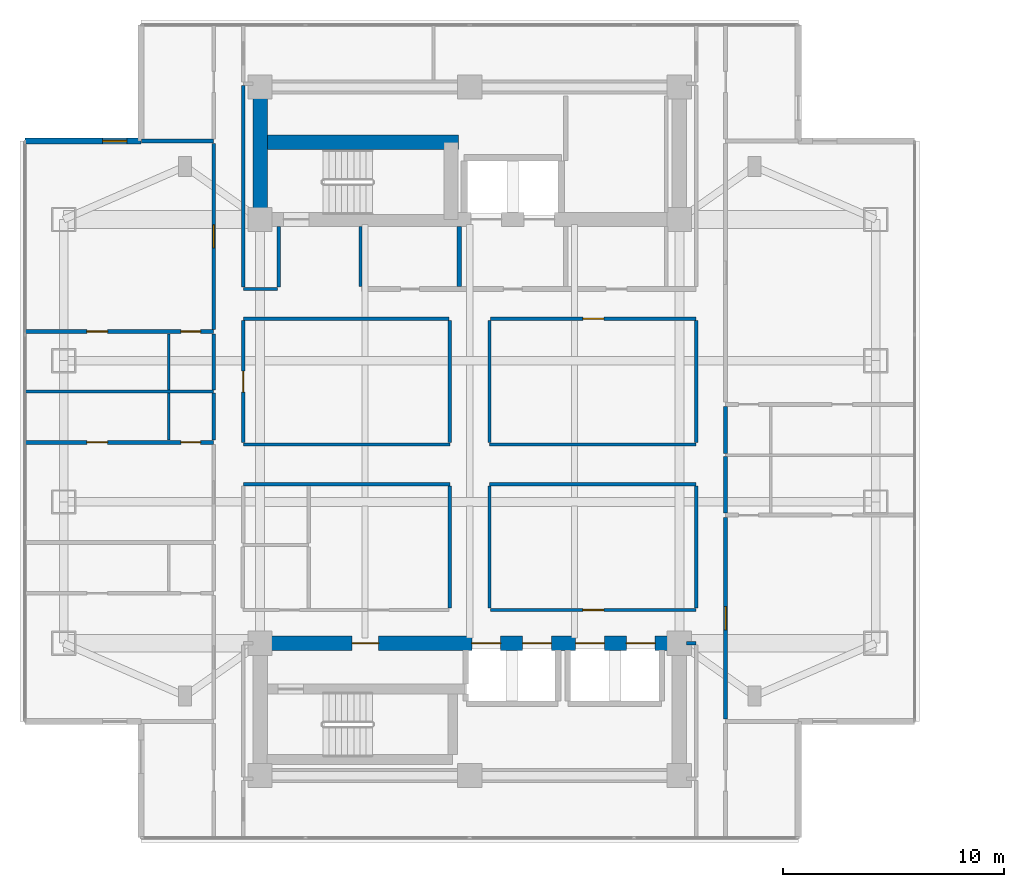
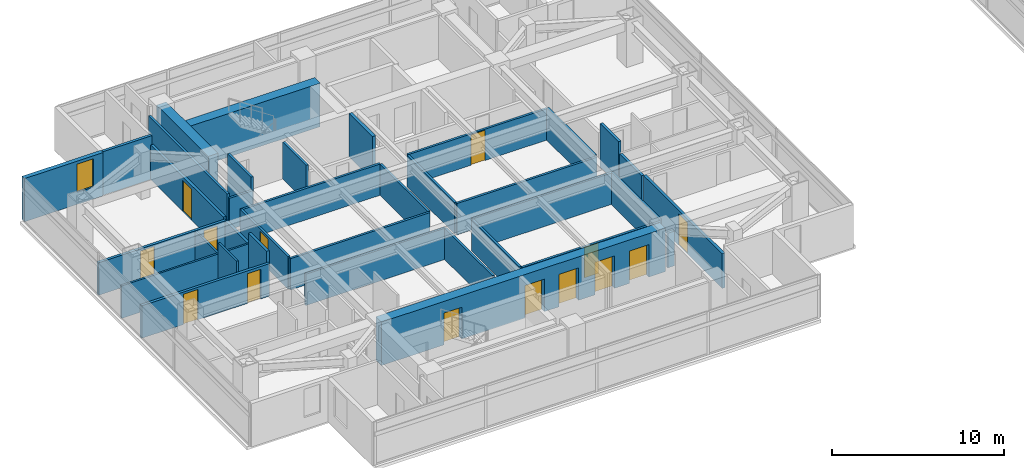
# One storey, part 15 of 26: 36 walls, 14 doors, 1 window, 15 openings.
"""IFC4 building model written with IfcOpenShell, lengths in metres."""

import ifcopenshell
import ifcopenshell.guid

model = None  # the IFC model being written
_history = None  # IfcOwnerHistory: only IFC2X3 demands one
_inside = {}  # id of a spatial element -> (the spatial element, [elements in it])
_under = {}  # id of a project, library or spatial element -> (it, [spatial elements below it])
_declared = {}  # id of a project -> (the project, [libraries it declares])
_typed = {}  # id of a type object -> (the type object, [elements of that type])
_made_of = {}  # id of a material, layer set ... -> (it, [elements and type objects made of it])


def new_model(schema):
    """Start an empty IFC model of exactly this schema.

    Asked for "IFC4X3", IfcOpenShell would pick the latest addendum, in which some entities
    have other attributes; the version numbers below select the first issue.
    IFC2X3 requires an IfcOwnerHistory on every rooted entity: one is made here for all.
    """
    global model, _history
    if schema == "IFC4X3":
        model = ifcopenshell.file(schema_version=(4, 3, 0, 0))
    else:
        model = ifcopenshell.file(schema=schema)
    _inside.clear()
    _under.clear()
    _declared.clear()
    _typed.clear()
    _made_of.clear()
    _history = None
    if model.schema == "IFC2X3":
        org = make("IfcOrganization", Name="unknown")
        user = make(
            "IfcPersonAndOrganization",
            ThePerson=make("IfcPerson", FamilyName="unknown"),
            TheOrganization=org,
        )
        app = make(
            "IfcApplication",
            ApplicationDeveloper=org,
            Version="unknown",
            ApplicationFullName="unknown",
            ApplicationIdentifier="unknown",
        )
        _history = make(
            "IfcOwnerHistory",
            OwningUser=user,
            OwningApplication=app,
            ChangeAction="ADDED",
            CreationDate=0,
        )
    return model


def make(cls, **values):
    """One entity of the class cls with the attributes given. An attribute that is None is left unset."""
    return model.create_entity(
        cls, **{name: value for name, value in values.items() if value is not None}
    )


def rooted(cls, **values):
    """An entity with a GlobalId (a new one), such as an element, a storey or a relation."""
    return make(cls, GlobalId=ifcopenshell.guid.new(), OwnerHistory=_history, **values)


def si_unit(unit_type, name, prefix=None):
    """IfcSIUnit, for example si_unit("LENGTHUNIT", "METRE", prefix="MILLI")."""
    return make("IfcSIUnit", UnitType=unit_type, Prefix=prefix, Name=name)


def assignment(units):
    """IfcUnitAssignment: the units of a project."""
    return None if units is None else make("IfcUnitAssignment", Units=units)


def point(xyz):
    """IfcCartesianPoint."""
    return None if xyz is None else make("IfcCartesianPoint", Coordinates=xyz)


def direction(xyz):
    """IfcDirection."""
    return None if xyz is None else make("IfcDirection", DirectionRatios=xyz)


def frame(location, z_axis=None, x_axis=None):
    """IfcAxis2Placement3D, a coordinate frame: its origin and axes. An axis left out is left unset."""
    return make(
        "IfcAxis2Placement3D",
        Location=point(location),
        Axis=direction(z_axis),
        RefDirection=direction(x_axis),
    )


def frame_2d(location, x_axis=None):
    """IfcAxis2Placement2D, a coordinate frame in the plane: its origin and x axis."""
    return make(
        "IfcAxis2Placement2D", Location=point(location), RefDirection=direction(x_axis)
    )


def origin():
    """The frame at (0, 0, 0) with its axes left unset."""
    return frame((0.0, 0.0, 0.0))


def place(relative_to, where):
    """IfcLocalPlacement: puts the frame where relative to a parent placement (None: the world)."""
    return make(
        "IfcLocalPlacement", PlacementRelTo=relative_to, RelativePlacement=where
    )


def context(
    kind, dimensions, precision=None, world=None, true_north=None, identifier=None
):
    """IfcGeometricRepresentationContext, for example the 3D "Model" context."""
    return make(
        "IfcGeometricRepresentationContext",
        ContextIdentifier=identifier,
        ContextType=kind,
        CoordinateSpaceDimension=dimensions,
        Precision=precision,
        WorldCoordinateSystem=world,
        TrueNorth=true_north,
    )


def subcontext(parent, identifier, kind, view, scale=None):
    """IfcGeometricRepresentationSubContext, for example "Body" below "Model"."""
    return make(
        "IfcGeometricRepresentationSubContext",
        ContextIdentifier=identifier,
        ContextType=kind,
        ParentContext=parent,
        TargetScale=scale,
        TargetView=view,
    )


def project(units=None, contexts=None):
    """IfcProject with its units and contexts."""
    return rooted(
        "IfcProject",
        Name="project",
        RepresentationContexts=contexts,
        UnitsInContext=assignment(units),
    )


def spatial(cls, under=None, at=None, **own):
    """A site, building, storey or space (cls), placed at a placement, below another one or the project."""
    s = rooted(cls, ObjectPlacement=at, **own)
    if under is not None:
        _under.setdefault(under.id(), (under, []))[1].append(s)
    return s


def profile(cls, at=None, kind="AREA", **sizes):
    """A parametric profile (cls). Its sizes go by their IFC names, for example OverallWidth=200.0."""
    return make(cls, ProfileType=kind, Position=at, **sizes)


def rectangle(**sizes):
    """IfcRectangleProfileDef."""
    return profile("IfcRectangleProfileDef", **sizes)


def extrude(swept, where, along, depth):
    """IfcExtrudedAreaSolid: the profile swept, set in the frame where, extruded along a direction by depth."""
    return make(
        "IfcExtrudedAreaSolid",
        SweptArea=swept,
        Position=where,
        ExtrudedDirection=direction(along),
        Depth=depth,
    )


def shape(context_of_items, identifier, shape_type, items):
    """IfcShapeRepresentation: the items that make up one representation, for example the "Body"."""
    return make(
        "IfcShapeRepresentation",
        ContextOfItems=context_of_items,
        RepresentationIdentifier=identifier,
        RepresentationType=shape_type,
        Items=items,
    )


def material(Name=None, Category=None):
    """IfcMaterial."""
    return make("IfcMaterial", Name=Name, Category=Category)


def layer(
    of_material, thickness, ventilated=None, Name=None, Category=None, Priority=None
):
    """IfcMaterialLayer: one layer of a wall or slab, of a material (None: an air gap)."""
    return make(
        "IfcMaterialLayer",
        Material=of_material,
        LayerThickness=thickness,
        IsVentilated=ventilated,
        Name=Name,
        Category=Category,
        Priority=Priority,
    )


def layer_set(layers, Name=None):
    """IfcMaterialLayerSet."""
    return make("IfcMaterialLayerSet", MaterialLayers=layers, LayerSetName=Name)


def made_of(thing, what):
    """Note that an element or type object is made of a material, layer set ...; save() writes the relation."""
    if what is not None:
        _made_of.setdefault(what.id(), (what, []))[1].append(thing)
    return thing


def type_object(cls, material=None, **own):
    """A type object (cls), such as IfcWallType, which elements share."""
    return made_of(rooted(cls, **own), material)


def element(
    cls,
    number,
    at=None,
    inside=None,
    cuts=None,
    type_object=None,
    material=None,
    context=None,
    identifier="Body",
    shape_type=None,
    held_by="IfcProductDefinitionShape",
    body=None,
    shapes=None,
    **own,
):
    """One element of the class cls, such as IfcWall. Its Tag is "e" and its number.

    at: its placement. inside: the storey or other place that contains it. cuts: it is an
    opening in that element (IfcRelVoidsElement). A single representation is given by context,
    identifier, shape_type and body (its items); several are given by shapes. held_by: the class
    of the entity that holds the representations. save() writes the other relations.
    """
    e = rooted(cls, Tag="e%d" % number, ObjectPlacement=at, **own)
    if body is not None:
        shapes = [shape(context, identifier, shape_type, body)]
    if shapes is not None:
        e.Representation = make(held_by, Representations=shapes)
    if inside is not None:
        _inside.setdefault(inside.id(), (inside, []))[1].append(e)
    if cuts is not None:
        rooted(
            "IfcRelVoidsElement", RelatingBuildingElement=cuts, RelatedOpeningElement=e
        )
    if type_object is not None:
        _typed.setdefault(type_object.id(), (type_object, []))[1].append(e)
    return made_of(e, material)


def fill(opening, filler):
    """IfcRelFillsElement: the door or window that sits in an opening."""
    return rooted(
        "IfcRelFillsElement",
        RelatingOpeningElement=opening,
        RelatedBuildingElement=filler,
    )


def aggregate(whole, parts):
    """IfcRelAggregates: a whole, such as a stair, and the parts it consists of."""
    return rooted("IfcRelAggregates", RelatingObject=whole, RelatedObjects=parts)


def save(model, path):
    """Write the relations noted so far, then the file.

    IfcRelAggregates (storeys below a building ...), IfcRelContainedInSpatialStructure (elements
    in a storey), IfcRelDefinesByType, IfcRelAssociatesMaterial and IfcRelDeclares: one each for
    every whole, place, type object, material and project.
    """
    for whole, parts in _under.values():
        aggregate(whole, parts)
    for where, things in _inside.values():
        rooted(
            "IfcRelContainedInSpatialStructure",
            RelatedElements=things,
            RelatingStructure=where,
        )
    for kind, things in _typed.values():
        rooted("IfcRelDefinesByType", RelatedObjects=things, RelatingType=kind)
    for what, things in _made_of.values():
        rooted("IfcRelAssociatesMaterial", RelatedObjects=things, RelatingMaterial=what)
    for by, libraries in _declared.values():
        rooted("IfcRelDeclares", RelatingContext=by, RelatedDefinitions=libraries)
    model.write(path)


model = new_model("IFC4")

# Units and contexts
model_context = context("Model", 3, precision=1e-05, world=origin(), true_north=direction((0.0, 1.0)))
body_context = subcontext(model_context, "Body", "Model", "MODEL_VIEW")
ifc_project = project(units=[si_unit("LENGTHUNIT", "METRE"), si_unit("AREAUNIT", "SQUARE_METRE"), si_unit("VOLUMEUNIT", "CUBIC_METRE"), si_unit("PLANEANGLEUNIT", "RADIAN"), si_unit("MASSUNIT", "GRAM", prefix="KILO")], contexts=[model_context])

# Site, building, storey
site_placement = place(None, origin())
site = spatial("IfcSite", under=ifc_project, at=site_placement, CompositionType="ELEMENT")
building_placement = place(site_placement, origin())
building = spatial("IfcBuilding", under=site, at=building_placement, Name="Mirazonda Arch Towers", CompositionType="ELEMENT")
storey_placement = place(building_placement, frame((0.0, 0.0, 121.39990234375)))
storey = spatial("IfcBuildingStorey", under=building, at=storey_placement, Name="L34", CompositionType="ELEMENT", Elevation=121.39990234375)

# Walls
ifc_material_1 = material(Name="Concrete C60/75", Category="concrete")
ifc_layer_1 = layer(ifc_material_1, 0.64990234375, Name="WALL-CORE-650")
ifc_layer_set_1 = layer_set([ifc_layer_1], Name="Concrete C60/75")
wall_type_1 = type_object("IfcWallType", Name="WALL-CORE-650", PredefinedType="SHEAR", material=ifc_layer_set_1)
wall_1_placement = place(storey_placement, frame((11.0, 37.60009765625, 0.0), z_axis=(0.0, 0.0, 1.0), x_axis=(0.0, 1.0, 0.0)))
element("IfcWall", 1, at=wall_1_placement, inside=storey, type_object=wall_type_1, Name="L34 T1N-W Core Shear Wall", PredefinedType="SHEAR", context=body_context, shape_type="SweptSolid", body=[
    extrude(rectangle(XDim=6.0, YDim=0.64990234375, at=frame_2d((3.0, 0.0))), origin(), (0.0, 0.0, 1.0), 3.080078125),
])
wall_2_placement = place(storey_placement, frame((11.0, 41.093017578125, 0.0), z_axis=(0.0, 0.0, 1.0), x_axis=(1.0, 0.0, 0.0)))
element("IfcWall", 2, at=wall_2_placement, inside=storey, type_object=wall_type_1, Name="L34 T1N-STN Core Shear Wall", PredefinedType="SHEAR", context=body_context, shape_type="SweptSolid", body=[
    extrude(rectangle(XDim=9.0, YDim=0.64990234375, at=frame_2d((4.5, 0.0))), origin(), (0.0, 0.0, 1.0), 3.080078125),
])

# Wall, openings, doors
wall_3_placement = place(storey_placement, frame((11.0, 18.39990234375, 0.0), z_axis=(0.0, 0.0, 1.0), x_axis=(1.0, 0.0, 0.0)))
wall_3 = element("IfcWall", 3, at=wall_3_placement, inside=storey, type_object=wall_type_1, Name="L34 T1S-N Core Shear Wall", PredefinedType="SHEAR", context=body_context, shape_type="SweptSolid", body=[
    extrude(rectangle(XDim=19.0, YDim=0.64990234375, at=frame_2d((9.5, 0.0))), origin(), (0.0, 0.0, 1.0), 3.080078125),
])
opening_1_placement = place(wall_3_placement, frame((4.175048828125, 0.0, 0.0)))
opening_1 = element("IfcOpeningElement", 4, at=opening_1_placement, cuts=wall_3, Name="Opening DR-117", PredefinedType="OPENING", context=body_context, shape_type="SweptSolid", body=[
    extrude(rectangle(XDim=1.199951171875, YDim=2.25, at=frame_2d((0.60009765625, 1.125))), frame((0.0, 0.3349609375, 0.0), z_axis=(0.0, -1.0, 0.0), x_axis=(1.0, 0.0, 0.0)), (0.0, 0.0, 1.0), 0.669921875),
])
opening_2_placement = place(wall_3_placement, frame((9.60009765625, 0.0, 0.0)))
opening_2 = element("IfcOpeningElement", 5, at=opening_2_placement, cuts=wall_3, Name="Opening LD-111", PredefinedType="OPENING", context=body_context, shape_type="SweptSolid", body=[
    extrude(rectangle(XDim=1.300048828125, YDim=2.300048828125, at=frame_2d((0.64990234375, 1.14990234375))), frame((0.0, 0.3349609375, 0.0), z_axis=(0.0, -1.0, 0.0), x_axis=(1.0, 0.0, 0.0)), (0.0, 0.0, 1.0), 0.669921875),
])
opening_3_placement = place(wall_3_placement, frame((11.89990234375, 0.0, 0.0)))
opening_3 = element("IfcOpeningElement", 6, at=opening_3_placement, cuts=wall_3, Name="Opening LD-111", PredefinedType="OPENING", context=body_context, shape_type="SweptSolid", body=[
    extrude(rectangle(XDim=1.300048828125, YDim=2.300048828125, at=frame_2d((0.64990234375, 1.14990234375))), frame((0.0, 0.3349609375, 0.0), z_axis=(0.0, -1.0, 0.0), x_axis=(1.0, 0.0, 0.0)), (0.0, 0.0, 1.0), 0.669921875),
])
opening_4_placement = place(wall_3_placement, frame((14.300048828125, 0.0, 0.0)))
opening_4 = element("IfcOpeningElement", 7, at=opening_4_placement, cuts=wall_3, Name="Opening LD-111", PredefinedType="OPENING", context=body_context, shape_type="SweptSolid", body=[
    extrude(rectangle(XDim=1.300048828125, YDim=2.300048828125, at=frame_2d((0.64990234375, 1.14990234375))), frame((0.0, 0.3349609375, 0.0), z_axis=(0.0, -1.0, 0.0), x_axis=(1.0, 0.0, 0.0)), (0.0, 0.0, 1.0), 0.669921875),
])
opening_5_placement = place(wall_3_placement, frame((16.60009765625, 0.0, 0.0)))
opening_5 = element("IfcOpeningElement", 8, at=opening_5_placement, cuts=wall_3, Name="Opening LD-111", PredefinedType="OPENING", context=body_context, shape_type="SweptSolid", body=[
    extrude(rectangle(XDim=1.300048828125, YDim=2.300048828125, at=frame_2d((0.64990234375, 1.14990234375))), frame((0.0, 0.3349609375, 0.0), z_axis=(0.0, -1.0, 0.0), x_axis=(1.0, 0.0, 0.0)), (0.0, 0.0, 1.0), 0.669921875),
])
ifc_material_2 = material(Name="Architectural Brushed Steel S355", Category="steel")
door_type_1 = type_object("IfcDoorType", Name="DOOR-FFL-FD90-1200", OperationType="NOTDEFINED", PredefinedType="DOOR", material=ifc_material_2)
door_1_placement = place(opening_1_placement, origin())
door_1 = element("IfcDoor", 9, at=door_1_placement, inside=storey, type_object=door_type_1, Name="L34 South Core Stair & Lift Lobby Door", OperationType="SINGLE_SWING_RIGHT", OverallHeight=2.25, OverallWidth=1.199951171875, PredefinedType="DOOR", context=body_context, shape_type="SweptSolid", body=[
    extrude(rectangle(XDim=1.199951171875, YDim=2.25, at=frame_2d((0.60009765625, 1.125))), frame((0.0, 0.02490234375, 0.0), z_axis=(0.0, -1.0, 0.0), x_axis=(1.0, 0.0, 0.0)), (0.0, 0.0, 1.0), 0.050048828125),
])
fill(opening_1, door_1)
door_type_2 = type_object("IfcDoorType", Name="DOOR-LIFT-LAND-1300", OperationType="NOTDEFINED", PredefinedType="DOOR", material=ifc_material_2)
door_2_placement = place(opening_2_placement, origin())
door_2 = element("IfcDoor", 10, at=door_2_placement, inside=storey, type_object=door_type_2, Name="L34 Lift Landing Sliding Door PL-T1M1", OperationType="DOUBLE_DOOR_SLIDING", OverallHeight=2.300048828125, OverallWidth=1.300048828125, PredefinedType="DOOR", context=body_context, shape_type="SweptSolid", body=[
    extrude(rectangle(XDim=1.300048828125, YDim=2.300048828125, at=frame_2d((0.64990234375, 1.14990234375))), frame((0.0, 0.02490234375, 0.0), z_axis=(0.0, -1.0, 0.0), x_axis=(1.0, 0.0, 0.0)), (0.0, 0.0, 1.0), 0.050048828125),
])
fill(opening_2, door_2)
door_3_placement = place(opening_3_placement, origin())
door_3 = element("IfcDoor", 11, at=door_3_placement, inside=storey, type_object=door_type_2, Name="L34 Lift Landing Sliding Door PL-T1M2", OperationType="DOUBLE_DOOR_SLIDING", OverallHeight=2.300048828125, OverallWidth=1.300048828125, PredefinedType="DOOR", context=body_context, shape_type="SweptSolid", body=[
    extrude(rectangle(XDim=1.300048828125, YDim=2.300048828125, at=frame_2d((0.64990234375, 1.14990234375))), frame((0.0, 0.02490234375, 0.0), z_axis=(0.0, -1.0, 0.0), x_axis=(1.0, 0.0, 0.0)), (0.0, 0.0, 1.0), 0.050048828125),
])
fill(opening_3, door_3)
door_4_placement = place(opening_4_placement, origin())
door_4 = element("IfcDoor", 12, at=door_4_placement, inside=storey, type_object=door_type_2, Name="L34 Lift Landing Sliding Door PL-T1H1", OperationType="DOUBLE_DOOR_SLIDING", OverallHeight=2.300048828125, OverallWidth=1.300048828125, PredefinedType="DOOR", context=body_context, shape_type="SweptSolid", body=[
    extrude(rectangle(XDim=1.300048828125, YDim=2.300048828125, at=frame_2d((0.64990234375, 1.14990234375))), frame((0.0, 0.02490234375, 0.0), z_axis=(0.0, -1.0, 0.0), x_axis=(1.0, 0.0, 0.0)), (0.0, 0.0, 1.0), 0.050048828125),
])
fill(opening_4, door_4)
door_5_placement = place(opening_5_placement, origin())
door_5 = element("IfcDoor", 13, at=door_5_placement, inside=storey, type_object=door_type_2, Name="L34 Lift Landing Sliding Door PL-T1H2", OperationType="DOUBLE_DOOR_SLIDING", OverallHeight=2.300048828125, OverallWidth=1.300048828125, PredefinedType="DOOR", context=body_context, shape_type="SweptSolid", body=[
    extrude(rectangle(XDim=1.300048828125, YDim=2.300048828125, at=frame_2d((0.64990234375, 1.14990234375))), frame((0.0, 0.02490234375, 0.0), z_axis=(0.0, -1.0, 0.0), x_axis=(1.0, 0.0, 0.0)), (0.0, 0.0, 1.0), 0.050048828125),
])
fill(opening_5, door_5)

# Wall, opening, window
ifc_material_3 = material(Name="Precast Concrete C40/50", Category="concrete")
ifc_layer_2 = layer(ifc_material_3, 0.280029296875, Name="WALL-EXT-WALL-280")
ifc_layer_set_2 = layer_set([ifc_layer_2], Name="Precast Concrete C40/50")
wall_type_2 = type_object("IfcWallType", Name="WALL-EXT-WALL-280", PredefinedType="SOLIDWALL", material=ifc_layer_set_2)
wall_4_placement = place(storey_placement, frame((5.610107421875, 41.14794921875, 0.0), z_axis=(0.0, 0.0, 1.0), x_axis=(-1.0, 0.0, 0.0)))
wall_4 = element("IfcWall", 14, at=wall_4_placement, inside=storey, type_object=wall_type_2, Name="L34 T1 Corner Notch Return Wall WL-L34-T1-CNW1", PredefinedType="SOLIDWALL", context=body_context, shape_type="SweptSolid", body=[
    extrude(rectangle(XDim=5.27001953125, YDim=0.280029296875, at=frame_2d((2.635009765625, 0.0))), origin(), (0.0, 0.0, 1.0), 3.06005859375),
])
opening_6_placement = place(wall_4_placement, frame((0.64990234375, 0.0, 0.85009765625)))
opening_6 = element("IfcOpeningElement", 15, at=opening_6_placement, cuts=wall_4, Name="Opening WN-108", PredefinedType="OPENING", context=body_context, shape_type="SweptSolid", body=[
    extrude(rectangle(XDim=1.10009765625, YDim=2.0, at=frame_2d((0.550048828125, 1.0))), frame((0.0, 0.14990234375, 0.0), z_axis=(0.0, -1.0, 0.0), x_axis=(1.0, 0.0, 0.0)), (0.0, 0.0, 1.0), 0.300048828125),
])
ifc_material_4 = material(Name="Insulated Low-E Solar Glass", Category="glass")
window_type = type_object("IfcWindowType", Name="WIN-NOTCH-1100x2000", PartitioningType="SINGLE_PANEL", PredefinedType="WINDOW", material=ifc_material_4)
window_placement = place(opening_6_placement, origin())
window = element("IfcWindow", 16, at=window_placement, inside=storey, type_object=window_type, Name="L34 Punched Facade Window WN-L34-T1-CNW1", OverallHeight=2.0, OverallWidth=1.10009765625, PartitioningType="SINGLE_PANEL", PredefinedType="WINDOW", context=body_context, shape_type="SweptSolid", body=[
    extrude(rectangle(XDim=1.10009765625, YDim=2.0, at=frame_2d((0.550048828125, 1.0))), frame((0.0, 0.030029296875, 0.0), z_axis=(0.0, -1.0, 0.0), x_axis=(1.0, 0.0, 0.0)), (0.0, 0.0, 1.0), 0.06005859375),
])
fill(opening_6, window)

# Walls
ifc_material_5 = material(Name="Concrete C40/50", Category="concrete")
ifc_layer_3 = layer(ifc_material_5, 0.219970703125, Name="WALL-FFL-220")
ifc_layer_set_3 = layer_set([ifc_layer_3], Name="Concrete C40/50")
wall_type_3 = type_object("IfcWallType", Name="WALL-FFL-220", PredefinedType="SOLIDWALL", material=ifc_layer_set_3)
wall_5_placement = place(storey_placement, frame((20.02490234375, 34.570068359375, 0.0), z_axis=(0.0, 0.0, 1.0), x_axis=(0.0, 1.0, 0.0)))
element("IfcWall", 17, at=wall_5_placement, inside=storey, type_object=wall_type_3, Name="L34 Interior Partition 089", PredefinedType="SOLIDWALL", context=body_context, shape_type="SweptSolid", body=[
    extrude(rectangle(XDim=2.7099609375, YDim=0.219970703125, at=frame_2d((1.35498046875, 0.0))), origin(), (0.0, 0.0, 1.0), 3.080078125),
])
ifc_material_6 = material(Name="Fire-Rated Gypsum Stud Partition")
ifc_layer_4 = layer(ifc_material_6, 0.14990234375, Name="WALL-PART-CORR-150")
ifc_layer_set_4 = layer_set([ifc_layer_4], Name="Fire-Rated Gypsum Stud Partition")
wall_type_4 = type_object("IfcWallType", Name="WALL-PART-CORR-150", PredefinedType="PARTITIONING", material=ifc_layer_set_4)
wall_6_placement = place(storey_placement, frame((30.320068359375, 18.39990234375, 0.0), z_axis=(0.0, 0.0, 1.0), x_axis=(1.0, 0.0, 0.0)))
element("IfcWall", 18, at=wall_6_placement, inside=storey, type_object=wall_type_4, Name="L34 Interior Partition 013", PredefinedType="PARTITIONING", context=body_context, shape_type="SweptSolid", body=[
    extrude(rectangle(XDim=0.43994140625, YDim=0.14990234375, at=frame_2d((0.219970703125, 0.0))), origin(), (0.0, 0.0, 1.0), 2.4560546875),
])

# Wall, opening, door
wall_7_placement = place(storey_placement, frame((21.43994140625, 19.89990234375, 0.0), z_axis=(0.0, 0.0, 1.0), x_axis=(1.0, 0.0, 0.0)))
wall_7 = element("IfcWall", 19, at=wall_7_placement, inside=storey, type_object=wall_type_4, Name="L34 Interior Partition 016", PredefinedType="PARTITIONING", context=body_context, shape_type="SweptSolid", body=[
    extrude(rectangle(XDim=9.320068359375, YDim=0.14990234375, at=frame_2d((4.66015625, 0.0))), origin(), (0.0, 0.0, 1.0), 2.216064453125),
])
opening_7_placement = place(wall_7_placement, frame((4.18505859375, 0.0, 0.0)))
opening_7 = element("IfcOpeningElement", 20, at=opening_7_placement, cuts=wall_7, Name="Opening DR-104", PredefinedType="OPENING", context=body_context, shape_type="SweptSolid", body=[
    extrude(rectangle(XDim=0.949951171875, YDim=2.14990234375, at=frame_2d((0.47509765625, 1.074951171875))), frame((0.0, 0.0849609375, 0.0), z_axis=(0.0, -1.0, 0.0), x_axis=(1.0, 0.0, 0.0)), (0.0, 0.0, 1.0), 0.169921875),
])
door_type_3 = type_object("IfcDoorType", Name="DOOR-ROOM-950", OperationType="NOTDEFINED", PredefinedType="DOOR", material=ifc_material_2)
door_6_placement = place(opening_7_placement, origin())
door_6 = element("IfcDoor", 21, at=door_6_placement, inside=storey, type_object=door_type_3, Name="L34 L34 South-East Cruciform Lounge Door", OperationType="SINGLE_SWING_RIGHT", OverallHeight=2.14990234375, OverallWidth=0.949951171875, PredefinedType="DOOR", context=body_context, shape_type="SweptSolid", body=[
    extrude(rectangle(XDim=0.949951171875, YDim=2.14990234375, at=frame_2d((0.47509765625, 1.074951171875))), frame((0.0, 0.02490234375, 0.0), z_axis=(0.0, -1.0, 0.0), x_axis=(1.0, 0.0, 0.0)), (0.0, 0.0, 1.0), 0.050048828125),
])
fill(opening_7, door_6)

# Walls
for number, where, z_axis, x_axis, name in (
    (22, (10.239990234375, 25.60009765625, 0.0), (0.0, 0.0, 1.0), (1.0, 0.0, 0.0), "L34 Interior Partition 029"),
    (23, (21.39990234375, 25.60009765625, 0.0), (0.0, 0.0, 1.0), (1.0, 0.0, 0.0), "L34 Interior Partition 030"),
    (24, (10.239990234375, 27.39990234375, 0.0), (0.0, 0.0, 1.0), (1.0, 0.0, 0.0), "L34 Interior Partition 036"),
    (25, (21.39990234375, 27.39990234375, 0.0), (0.0, 0.0, 1.0), (1.0, 0.0, 0.0), "L34 Interior Partition 037"),
):
    element("IfcWall", number, at=place(storey_placement, frame(where, z_axis=z_axis, x_axis=x_axis)), inside=storey, type_object=wall_type_4, Name=name, PredefinedType="PARTITIONING", context=body_context, shape_type="SweptSolid", body=[
        extrude(rectangle(XDim=9.360107421875, YDim=0.14990234375, at=frame_2d((4.68017578125, 0.0))), origin(), (0.0, 0.0, 1.0), 2.216064453125),
    ])
wall_8_placement = place(storey_placement, frame((10.239990234375, 33.10009765625, 0.0), z_axis=(0.0, 0.0, 1.0), x_axis=(1.0, 0.0, 0.0)))
element("IfcWall", 26, at=wall_8_placement, inside=storey, type_object=wall_type_4, Name="L34 Interior Partition 048", PredefinedType="PARTITIONING", context=body_context, shape_type="SweptSolid", body=[
    extrude(rectangle(XDim=9.320068359375, YDim=0.14990234375, at=frame_2d((4.66015625, 0.0))), origin(), (0.0, 0.0, 1.0), 2.216064453125),
])

# Wall, opening, door
wall_9_placement = place(storey_placement, frame((21.43994140625, 33.10009765625, 0.0), z_axis=(0.0, 0.0, 1.0), x_axis=(1.0, 0.0, 0.0)))
wall_9 = element("IfcWall", 27, at=wall_9_placement, inside=storey, type_object=wall_type_4, Name="L34 Interior Partition 049", PredefinedType="PARTITIONING", context=body_context, shape_type="SweptSolid", body=[
    extrude(rectangle(XDim=9.320068359375, YDim=0.14990234375, at=frame_2d((4.66015625, 0.0))), origin(), (0.0, 0.0, 1.0), 2.216064453125),
])
opening_8_placement = place(wall_9_placement, frame((4.18505859375, 0.0, 0.0)))
opening_8 = element("IfcOpeningElement", 28, at=opening_8_placement, cuts=wall_9, Name="Opening DR-104", PredefinedType="OPENING", context=body_context, shape_type="SweptSolid", body=[
    extrude(rectangle(XDim=0.949951171875, YDim=2.14990234375, at=frame_2d((0.47509765625, 1.074951171875))), frame((0.0, 0.0849609375, 0.0), z_axis=(0.0, -1.0, 0.0), x_axis=(1.0, 0.0, 0.0)), (0.0, 0.0, 1.0), 0.169921875),
])
door_7_placement = place(opening_8_placement, origin())
door_7 = element("IfcDoor", 29, at=door_7_placement, inside=storey, type_object=door_type_3, Name="L34 L34 North-East Cruciform Study Door", OperationType="SINGLE_SWING_LEFT", OverallHeight=2.14990234375, OverallWidth=0.949951171875, PredefinedType="DOOR", context=body_context, shape_type="SweptSolid", body=[
    extrude(rectangle(XDim=0.949951171875, YDim=2.14990234375, at=frame_2d((0.47509765625, 1.074951171875))), frame((0.0, 0.02490234375, 0.0), z_axis=(0.0, -1.0, 0.0), x_axis=(1.0, 0.0, 0.0)), (0.0, 0.0, 1.0), 0.050048828125),
])
fill(opening_8, door_7)

# Wall
wall_10_placement = place(storey_placement, frame((10.239990234375, 34.449951171875, 0.0), z_axis=(0.0, 0.0, 1.0), x_axis=(1.0, 0.0, 0.0)))
element("IfcWall", 30, at=wall_10_placement, inside=storey, type_object=wall_type_4, Name="L34 Interior Partition 050", PredefinedType="PARTITIONING", context=body_context, shape_type="SweptSolid", body=[
    extrude(rectangle(XDim=1.56005859375, YDim=0.14990234375, at=frame_2d((0.780029296875, 0.0))), origin(), (0.0, 0.0, 1.0), 2.216064453125),
])

# Wall, opening, door
wall_11_placement = place(storey_placement, frame((10.239990234375, 27.485107421875, 0.0), z_axis=(0.0, 0.0, 1.0), x_axis=(0.0, 1.0, 0.0)))
wall_11 = element("IfcWall", 31, at=wall_11_placement, inside=storey, type_object=wall_type_4, Name="L34 Interior Partition 078", PredefinedType="PARTITIONING", context=body_context, shape_type="SweptSolid", body=[
    extrude(rectangle(XDim=5.52978515625, YDim=0.14990234375, at=frame_2d((2.764892578125, 0.0))), origin(), (0.0, 0.0, 1.0), 2.299072265625),
])
opening_9_placement = place(wall_11_placement, frame((2.2900390625, 0.0, 0.0)))
opening_9 = element("IfcOpeningElement", 32, at=opening_9_placement, cuts=wall_11, Name="Opening DR-104", PredefinedType="OPENING", context=body_context, shape_type="SweptSolid", body=[
    extrude(rectangle(XDim=0.949951171875, YDim=2.14990234375, at=frame_2d((0.47509765625, 1.074951171875))), frame((0.0, 0.0849609375, 0.0), z_axis=(0.0, -1.0, 0.0), x_axis=(1.0, 0.0, 0.0)), (0.0, 0.0, 1.0), 0.169921875),
])
door_8_placement = place(opening_9_placement, origin())
door_8 = element("IfcDoor", 33, at=door_8_placement, inside=storey, type_object=door_type_3, Name="L34 L34 West Courtyard Reading Salon Door", OperationType="SINGLE_SWING_LEFT", OverallHeight=2.14990234375, OverallWidth=0.949951171875, PredefinedType="DOOR", context=body_context, shape_type="SweptSolid", body=[
    extrude(rectangle(XDim=0.949951171875, YDim=2.14990234375, at=frame_2d((0.47509765625, 1.074951171875))), frame((0.0, 0.02490234375, 0.0), z_axis=(0.0, -1.0, 0.0), x_axis=(1.0, 0.0, 0.0)), (0.0, 0.0, 1.0), 0.050048828125),
])
fill(opening_9, door_8)

# Walls
wall_12_placement = place(storey_placement, frame((10.239990234375, 34.534912109375, 0.0), z_axis=(0.0, 0.0, 1.0), x_axis=(0.0, 1.0, 0.0)))
element("IfcWall", 34, at=wall_12_placement, inside=storey, type_object=wall_type_4, Name="L34 Interior Partition 079", PredefinedType="PARTITIONING", context=body_context, shape_type="SweptSolid", body=[
    extrude(rectangle(XDim=9.130126953125, YDim=0.14990234375, at=frame_2d((4.56494140625, 0.0))), origin(), (0.0, 0.0, 1.0), 2.4560546875),
])
wall_13_placement = place(storey_placement, frame((11.85009765625, 34.534912109375, 0.0), z_axis=(0.0, 0.0, 1.0), x_axis=(0.0, 1.0, 0.0)))
element("IfcWall", 35, at=wall_13_placement, inside=storey, type_object=wall_type_4, Name="L34 Interior Partition 081", PredefinedType="PARTITIONING", context=body_context, shape_type="SweptSolid", body=[
    extrude(rectangle(XDim=2.7451171875, YDim=0.14990234375, at=frame_2d((1.37255859375, 0.0))), origin(), (0.0, 0.0, 1.0), 3.080078125),
])
wall_14_placement = place(storey_placement, frame((15.550048828125, 34.570068359375, 0.0), z_axis=(0.0, 0.0, 1.0), x_axis=(0.0, 1.0, 0.0)))
element("IfcWall", 36, at=wall_14_placement, inside=storey, type_object=wall_type_4, Name="L34 Interior Partition 084", PredefinedType="PARTITIONING", context=body_context, shape_type="SweptSolid", body=[
    extrude(rectangle(XDim=2.7099609375, YDim=0.14990234375, at=frame_2d((1.35498046875, 0.0))), origin(), (0.0, 0.0, 1.0), 2.609130859375),
])
for number, where, z_axis, x_axis, name in (
    (37, (19.60009765625, 19.985107421875, 0.0), (0.0, 0.0, 1.0), (0.0, 1.0, 0.0), "L34 Interior Partition 086"),
    (38, (19.60009765625, 27.485107421875, 0.0), (0.0, 0.0, 1.0), (0.0, 1.0, 0.0), "L34 Interior Partition 087"),
    (39, (21.39990234375, 19.985107421875, 0.0), (0.0, 0.0, 1.0), (0.0, 1.0, 0.0), "L34 Interior Partition 093"),
    (40, (21.39990234375, 27.485107421875, 0.0), (0.0, 0.0, 1.0), (0.0, 1.0, 0.0), "L34 Interior Partition 094"),
):
    element("IfcWall", number, at=place(storey_placement, frame(where, z_axis=z_axis, x_axis=x_axis)), inside=storey, type_object=wall_type_4, Name=name, PredefinedType="PARTITIONING", context=body_context, shape_type="SweptSolid", body=[
        extrude(rectangle(XDim=5.52978515625, YDim=0.14990234375, at=frame_2d((2.764892578125, 0.0))), origin(), (0.0, 0.0, 1.0), 2.216064453125),
    ])
for number, where, z_axis, x_axis, name in (
    (41, (30.760009765625, 19.985107421875, 0.0), (0.0, 0.0, 1.0), (0.0, 1.0, 0.0), "L34 Interior Partition 105"),
    (42, (30.760009765625, 27.485107421875, 0.0), (0.0, 0.0, 1.0), (0.0, 1.0, 0.0), "L34 Interior Partition 106"),
):
    element("IfcWall", number, at=place(storey_placement, frame(where, z_axis=z_axis, x_axis=x_axis)), inside=storey, type_object=wall_type_4, Name=name, PredefinedType="PARTITIONING", context=body_context, shape_type="SweptSolid", body=[
        extrude(rectangle(XDim=5.52978515625, YDim=0.14990234375, at=frame_2d((2.764892578125, 0.0))), origin(), (0.0, 0.0, 1.0), 2.299072265625),
    ])

# Wall, openings, doors
ifc_material_7 = material(Name="Fire-Rated Gypsum Twin-Stud Assembly")
ifc_layer_5 = layer(ifc_material_7, 0.179931640625, Name="WALL-PART-DEMISE-180")
ifc_layer_set_5 = layer_set([ifc_layer_5], Name="Fire-Rated Gypsum Twin-Stud Assembly")
wall_type_5 = type_object("IfcWallType", Name="WALL-PART-DEMISE-180", PredefinedType="PARTITIONING", material=ifc_layer_set_5)
wall_15_placement = place(storey_placement, frame((0.340087890625, 27.5, 0.0), z_axis=(0.0, 0.0, 1.0), x_axis=(1.0, 0.0, 0.0)))
wall_15 = element("IfcWall", 43, at=wall_15_placement, inside=storey, type_object=wall_type_5, Name="L34 Interior Partition 035", PredefinedType="PARTITIONING", context=body_context, shape_type="SweptSolid", body=[
    extrude(rectangle(XDim=8.559814453125, YDim=0.179931640625, at=frame_2d((4.27978515625, 0.0))), origin(), (0.0, 0.0, 1.0), 2.299072265625),
])
opening_10_placement = place(wall_15_placement, frame((2.804931640625, 0.0, 0.0)))
opening_10 = element("IfcOpeningElement", 44, at=opening_10_placement, cuts=wall_15, Name="Opening DR-104", PredefinedType="OPENING", context=body_context, shape_type="SweptSolid", body=[
    extrude(rectangle(XDim=0.949951171875, YDim=2.14990234375, at=frame_2d((0.47509765625, 1.074951171875))), frame((0.0, 0.099853515625, 0.0), z_axis=(0.0, -1.0, 0.0), x_axis=(1.0, 0.0, 0.0)), (0.0, 0.0, 1.0), 0.199951171875),
])
opening_11_placement = place(wall_15_placement, frame((7.070068359375, 0.0, 0.0)))
opening_11 = element("IfcOpeningElement", 45, at=opening_11_placement, cuts=wall_15, Name="Opening DR-120", PredefinedType="OPENING", context=body_context, shape_type="SweptSolid", body=[
    extrude(rectangle(XDim=0.89990234375, YDim=2.10009765625, at=frame_2d((0.449951171875, 1.050048828125))), frame((0.0, 0.099853515625, 0.0), z_axis=(0.0, -1.0, 0.0), x_axis=(1.0, 0.0, 0.0)), (0.0, 0.0, 1.0), 0.199951171875),
])
door_9_placement = place(opening_10_placement, origin())
door_9 = element("IfcDoor", 46, at=door_9_placement, inside=storey, type_object=door_type_3, Name="L34 Suite Bedroom 2 Door", OperationType="SINGLE_SWING_LEFT", OverallHeight=2.14990234375, OverallWidth=0.949951171875, PredefinedType="DOOR", context=body_context, shape_type="SweptSolid", body=[
    extrude(rectangle(XDim=0.949951171875, YDim=2.14990234375, at=frame_2d((0.47509765625, 1.074951171875))), frame((0.0, 0.02490234375, 0.0), z_axis=(0.0, -1.0, 0.0), x_axis=(1.0, 0.0, 0.0)), (0.0, 0.0, 1.0), 0.050048828125),
])
fill(opening_10, door_9)
door_type_4 = type_object("IfcDoorType", Name="DOOR-WC-900", OperationType="NOTDEFINED", PredefinedType="DOOR", material=ifc_material_2)
door_10_placement = place(opening_11_placement, origin())
door_10 = element("IfcDoor", 47, at=door_10_placement, inside=storey, type_object=door_type_4, Name="L34 Suite En-Suite Bathroom 2 Door", OperationType="SINGLE_SWING_RIGHT", OverallHeight=2.10009765625, OverallWidth=0.89990234375, PredefinedType="DOOR", context=body_context, shape_type="SweptSolid", body=[
    extrude(rectangle(XDim=0.89990234375, YDim=2.10009765625, at=frame_2d((0.449951171875, 1.050048828125))), frame((0.0, 0.02490234375, 0.0), z_axis=(0.0, -1.0, 0.0), x_axis=(1.0, 0.0, 0.0)), (0.0, 0.0, 1.0), 0.050048828125),
])
fill(opening_11, door_10)

wall_16_placement = place(storey_placement, frame((0.340087890625, 32.52001953125, 0.0), z_axis=(0.0, 0.0, 1.0), x_axis=(1.0, 0.0, 0.0)))
wall_16 = element("IfcWall", 48, at=wall_16_placement, inside=storey, type_object=wall_type_5, Name="L34 Interior Partition 047", PredefinedType="PARTITIONING", context=body_context, shape_type="SweptSolid", body=[
    extrude(rectangle(XDim=8.559814453125, YDim=0.179931640625, at=frame_2d((4.27978515625, 0.0))), origin(), (0.0, 0.0, 1.0), 2.299072265625),
])
opening_12_placement = place(wall_16_placement, frame((2.804931640625, 0.0, 0.0)))
opening_12 = element("IfcOpeningElement", 49, at=opening_12_placement, cuts=wall_16, Name="Opening DR-104", PredefinedType="OPENING", context=body_context, shape_type="SweptSolid", body=[
    extrude(rectangle(XDim=0.949951171875, YDim=2.14990234375, at=frame_2d((0.47509765625, 1.074951171875))), frame((0.0, 0.099853515625, 0.0), z_axis=(0.0, -1.0, 0.0), x_axis=(1.0, 0.0, 0.0)), (0.0, 0.0, 1.0), 0.199951171875),
])
opening_13_placement = place(wall_16_placement, frame((7.070068359375, 0.0, 0.0)))
opening_13 = element("IfcOpeningElement", 50, at=opening_13_placement, cuts=wall_16, Name="Opening DR-120", PredefinedType="OPENING", context=body_context, shape_type="SweptSolid", body=[
    extrude(rectangle(XDim=0.89990234375, YDim=2.10009765625, at=frame_2d((0.449951171875, 1.050048828125))), frame((0.0, 0.099853515625, 0.0), z_axis=(0.0, -1.0, 0.0), x_axis=(1.0, 0.0, 0.0)), (0.0, 0.0, 1.0), 0.199951171875),
])
door_11_placement = place(opening_12_placement, origin())
door_11 = element("IfcDoor", 51, at=door_11_placement, inside=storey, type_object=door_type_3, Name="L34 Suite Bedroom 3 Door", OperationType="SINGLE_SWING_RIGHT", OverallHeight=2.14990234375, OverallWidth=0.949951171875, PredefinedType="DOOR", context=body_context, shape_type="SweptSolid", body=[
    extrude(rectangle(XDim=0.949951171875, YDim=2.14990234375, at=frame_2d((0.47509765625, 1.074951171875))), frame((0.0, 0.02490234375, 0.0), z_axis=(0.0, -1.0, 0.0), x_axis=(1.0, 0.0, 0.0)), (0.0, 0.0, 1.0), 0.050048828125),
])
fill(opening_12, door_11)
door_12_placement = place(opening_13_placement, origin())
door_12 = element("IfcDoor", 52, at=door_12_placement, inside=storey, type_object=door_type_4, Name="L34 Suite En-Suite Bathroom 3 Door", OperationType="SINGLE_SWING_LEFT", OverallHeight=2.10009765625, OverallWidth=0.89990234375, PredefinedType="DOOR", context=body_context, shape_type="SweptSolid", body=[
    extrude(rectangle(XDim=0.89990234375, YDim=2.10009765625, at=frame_2d((0.449951171875, 1.050048828125))), frame((0.0, 0.02490234375, 0.0), z_axis=(0.0, -1.0, 0.0), x_axis=(1.0, 0.0, 0.0)), (0.0, 0.0, 1.0), 0.050048828125),
])
fill(opening_13, door_12)

# Walls
wall_17_placement = place(storey_placement, frame((5.6298828125, 41.14794921875, 0.0), z_axis=(0.0, 0.0, 1.0), x_axis=(1.0, 0.0, 0.0)))
element("IfcWall", 53, at=wall_17_placement, inside=storey, type_object=wall_type_5, Name="L34 Interior Partition 059", PredefinedType="PARTITIONING", context=body_context, shape_type="SweptSolid", body=[
    extrude(rectangle(XDim=3.27001953125, YDim=0.179931640625, at=frame_2d((1.635009765625, 0.0))), origin(), (0.0, 0.0, 1.0), 3.080078125),
])
wall_18_placement = place(storey_placement, frame((8.89990234375, 27.60009765625, 0.0), z_axis=(0.0, 0.0, 1.0), x_axis=(0.0, 1.0, 0.0)))
element("IfcWall", 54, at=wall_18_placement, inside=storey, type_object=wall_type_5, Name="L34 Interior Partition 070", PredefinedType="PARTITIONING", context=body_context, shape_type="SweptSolid", body=[
    extrude(rectangle(XDim=2.12744140625, YDim=0.179931640625, at=frame_2d((1.063720703125, 0.0))), origin(), (0.0, 0.0, 1.0), 3.080078125),
])
wall_19_placement = place(storey_placement, frame((8.89990234375, 29.87255859375, 0.0), z_axis=(0.0, 0.0, 1.0), x_axis=(0.0, 1.0, 0.0)))
element("IfcWall", 55, at=wall_19_placement, inside=storey, type_object=wall_type_5, Name="L34 Interior Partition 071", PredefinedType="PARTITIONING", context=body_context, shape_type="SweptSolid", body=[
    extrude(rectangle(XDim=2.54736328125, YDim=0.179931640625, at=frame_2d((1.273681640625, 0.0))), origin(), (0.0, 0.0, 1.0), 2.299072265625),
])

# Wall, opening, door
wall_20_placement = place(storey_placement, frame((8.89990234375, 32.6201171875, 0.0), z_axis=(0.0, 0.0, 1.0), x_axis=(0.0, 1.0, 0.0)))
wall_20 = element("IfcWall", 56, at=wall_20_placement, inside=storey, type_object=wall_type_5, Name="L34 Interior Partition 072", PredefinedType="PARTITIONING", context=body_context, shape_type="SweptSolid", body=[
    extrude(rectangle(XDim=8.427978515625, YDim=0.179931640625, at=frame_2d((4.2138671875, 0.0))), origin(), (0.0, 0.0, 1.0), 2.4560546875),
])
opening_14_placement = place(wall_20_placement, frame((3.68896484375, 0.0, 0.0)))
opening_14 = element("IfcOpeningElement", 57, at=opening_14_placement, cuts=wall_20, Name="Opening DR-121", PredefinedType="OPENING", context=body_context, shape_type="SweptSolid", body=[
    extrude(rectangle(XDim=1.050048828125, YDim=2.199951171875, at=frame_2d((0.52490234375, 1.10009765625))), frame((0.0, 0.099853515625, 0.0), z_axis=(0.0, -1.0, 0.0), x_axis=(1.0, 0.0, 0.0)), (0.0, 0.0, 1.0), 0.199951171875),
])
door_type_5 = type_object("IfcDoorType", Name="DOOR-SUITE-FD60-1050", OperationType="NOTDEFINED", PredefinedType="DOOR", material=ifc_material_2)
door_13_placement = place(opening_14_placement, origin())
door_13 = element("IfcDoor", 58, at=door_13_placement, inside=storey, type_object=door_type_5, Name="L34 Presidential Hotel Suite 3 Door", OperationType="SINGLE_SWING_LEFT", OverallHeight=2.199951171875, OverallWidth=1.050048828125, PredefinedType="DOOR", context=body_context, shape_type="SweptSolid", body=[
    extrude(rectangle(XDim=1.050048828125, YDim=2.199951171875, at=frame_2d((0.52490234375, 1.10009765625))), frame((0.0, 0.02490234375, 0.0), z_axis=(0.0, -1.0, 0.0), x_axis=(1.0, 0.0, 0.0)), (0.0, 0.0, 1.0), 0.050048828125),
])
fill(opening_14, door_13)

wall_21_placement = place(storey_placement, frame((32.10009765625, 14.951904296875, 0.0), z_axis=(0.0, 0.0, 1.0), x_axis=(0.0, 1.0, 0.0)))
wall_21 = element("IfcWall", 59, at=wall_21_placement, inside=storey, type_object=wall_type_5, Name="L34 Interior Partition 110", PredefinedType="PARTITIONING", context=body_context, shape_type="SweptSolid", body=[
    extrude(rectangle(XDim=9.148193359375, YDim=0.179931640625, at=frame_2d((4.57421875, 0.0))), origin(), (0.0, 0.0, 1.0), 2.4560546875),
])
opening_15_placement = place(wall_21_placement, frame((4.049072265625, 0.0, 0.0)))
opening_15 = element("IfcOpeningElement", 60, at=opening_15_placement, cuts=wall_21, Name="Opening DR-121", PredefinedType="OPENING", context=body_context, shape_type="SweptSolid", body=[
    extrude(rectangle(XDim=1.050048828125, YDim=2.199951171875, at=frame_2d((0.52490234375, 1.10009765625))), frame((0.0, 0.099853515625, 0.0), z_axis=(0.0, -1.0, 0.0), x_axis=(1.0, 0.0, 0.0)), (0.0, 0.0, 1.0), 0.199951171875),
])
door_14_placement = place(opening_15_placement, origin())
door_14 = element("IfcDoor", 61, at=door_14_placement, inside=storey, type_object=door_type_5, Name="L34 Presidential Hotel Suite 1 Door", OperationType="SINGLE_SWING_RIGHT", OverallHeight=2.199951171875, OverallWidth=1.050048828125, PredefinedType="DOOR", context=body_context, shape_type="SweptSolid", body=[
    extrude(rectangle(XDim=1.050048828125, YDim=2.199951171875, at=frame_2d((0.52490234375, 1.10009765625))), frame((0.0, 0.02490234375, 0.0), z_axis=(0.0, -1.0, 0.0), x_axis=(1.0, 0.0, 0.0)), (0.0, 0.0, 1.0), 0.050048828125),
])
fill(opening_15, door_14)

# Walls
wall_22_placement = place(storey_placement, frame((32.10009765625, 24.300048828125, 0.0), z_axis=(0.0, 0.0, 1.0), x_axis=(0.0, 1.0, 0.0)))
element("IfcWall", 62, at=wall_22_placement, inside=storey, type_object=wall_type_5, Name="L34 Interior Partition 111", PredefinedType="PARTITIONING", context=body_context, shape_type="SweptSolid", body=[
    extrude(rectangle(XDim=2.54736328125, YDim=0.179931640625, at=frame_2d((1.273681640625, 0.0))), origin(), (0.0, 0.0, 1.0), 2.299072265625),
])
wall_23_placement = place(storey_placement, frame((32.10009765625, 26.992431640625, 0.0), z_axis=(0.0, 0.0, 1.0), x_axis=(0.0, 1.0, 0.0)))
element("IfcWall", 63, at=wall_23_placement, inside=storey, type_object=wall_type_5, Name="L34 Interior Partition 112", PredefinedType="PARTITIONING", context=body_context, shape_type="SweptSolid", body=[
    extrude(rectangle(XDim=2.127685546875, YDim=0.179931640625, at=frame_2d((1.06396484375, 0.0))), origin(), (0.0, 0.0, 1.0), 3.080078125),
])
ifc_material_8 = material(Name="Acoustic Fire-Rated Gypsum Partition")
ifc_layer_6 = layer(ifc_material_8, 0.125, Name="WALL-PART-UNIT-125")
ifc_layer_set_6 = layer_set([ifc_layer_6], Name="Acoustic Fire-Rated Gypsum Partition")
wall_type_6 = type_object("IfcWallType", Name="WALL-PART-UNIT-125", PredefinedType="PARTITIONING", material=ifc_layer_set_6)
wall_24_placement = place(storey_placement, frame((0.340087890625, 29.800048828125, 0.0), z_axis=(0.0, 0.0, 1.0), x_axis=(1.0, 0.0, 0.0)))
element("IfcWall", 64, at=wall_24_placement, inside=storey, type_object=wall_type_6, Name="L34 Interior Partition 041", PredefinedType="PARTITIONING", context=body_context, shape_type="SweptSolid", body=[
    extrude(rectangle(XDim=8.559814453125, YDim=0.125, at=frame_2d((4.27978515625, 0.0))), origin(), (0.0, 0.0, 1.0), 2.299072265625),
])
wall_25_placement = place(storey_placement, frame((6.860107421875, 27.60009765625, 0.0), z_axis=(0.0, 0.0, 1.0), x_axis=(0.0, 1.0, 0.0)))
element("IfcWall", 65, at=wall_25_placement, inside=storey, type_object=wall_type_6, Name="L34 Interior Partition 064", PredefinedType="PARTITIONING", context=body_context, shape_type="SweptSolid", body=[
    extrude(rectangle(XDim=2.12744140625, YDim=0.125, at=frame_2d((1.063720703125, 0.0))), origin(), (0.0, 0.0, 1.0), 3.080078125),
])
wall_26_placement = place(storey_placement, frame((6.860107421875, 29.87255859375, 0.0), z_axis=(0.0, 0.0, 1.0), x_axis=(0.0, 1.0, 0.0)))
element("IfcWall", 66, at=wall_26_placement, inside=storey, type_object=wall_type_6, Name="L34 Interior Partition 065", PredefinedType="PARTITIONING", context=body_context, shape_type="SweptSolid", body=[
    extrude(rectangle(XDim=2.54736328125, YDim=0.125, at=frame_2d((1.273681640625, 0.0))), origin(), (0.0, 0.0, 1.0), 2.299072265625),
])

save(model, "model.ifc")
